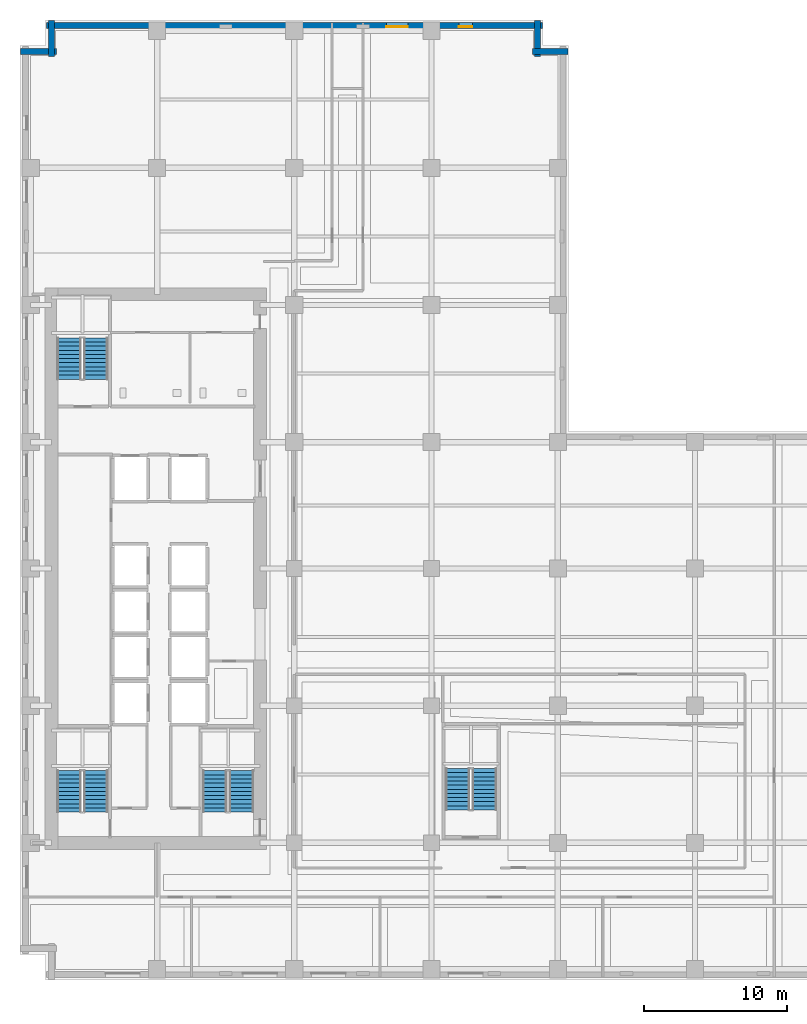
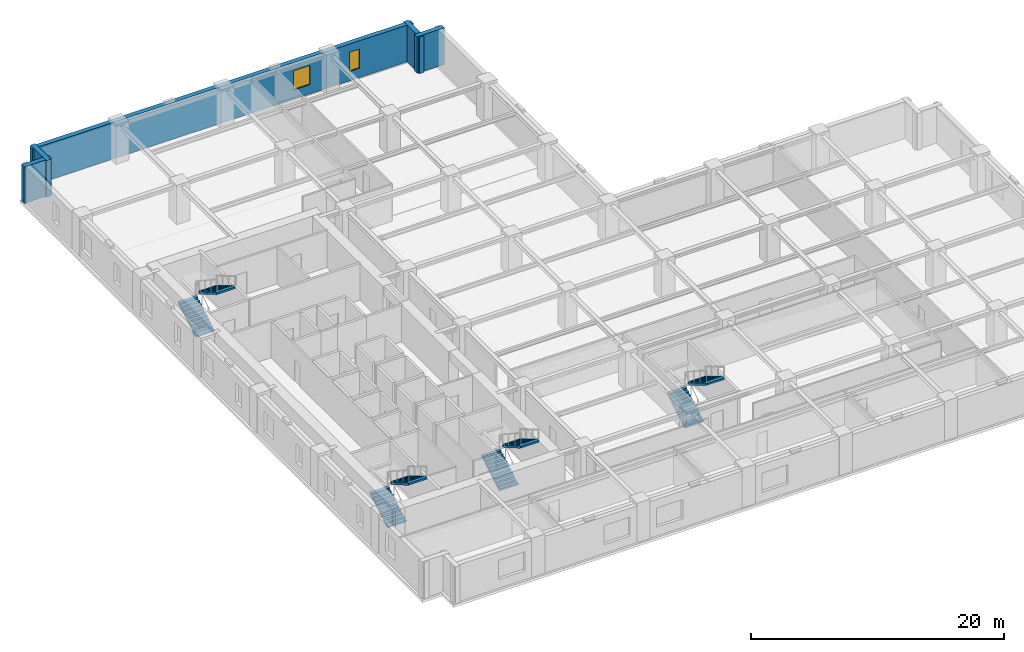
# One storey, part 8 of 13: 8 stair flights, 5 walls, 2 windows, 2 openings, 4 elements without a shape of their own.
"""IFC4 building model written with IfcOpenShell, lengths in metres."""

from ifc_helpers import new_model, si_unit, direction, frame, frame_2d, origin, place, context, subcontext, project, spatial, polyline, rectangle, outline, extrude, material, layer, layer_set, type_object, element, fill, aggregate, save


model = new_model("IFC4")

# Units and contexts
model_context = context("Model", 3, precision=1e-05, world=origin(), true_north=direction((0.0, 1.0)))
body_context = subcontext(model_context, "Body", "Model", "MODEL_VIEW")
ifc_project = project(units=[si_unit("LENGTHUNIT", "METRE"), si_unit("AREAUNIT", "SQUARE_METRE"), si_unit("VOLUMEUNIT", "CUBIC_METRE"), si_unit("PLANEANGLEUNIT", "RADIAN"), si_unit("MASSUNIT", "GRAM", prefix="KILO")], contexts=[model_context])

# Site, building, storey
site_placement = place(None, origin())
site = spatial("IfcSite", under=ifc_project, at=site_placement, CompositionType="ELEMENT")
building_placement = place(site_placement, origin())
building = spatial("IfcBuilding", under=site, at=building_placement, Name="Norrvale University Quadrangle", CompositionType="ELEMENT")
storey_placement = place(building_placement, frame((0.0, 0.0, 43.199951171875)))
storey = spatial("IfcBuildingStorey", under=building, at=storey_placement, Name="L10", CompositionType="ELEMENT", Elevation=43.199951171875)

# Walls
ifc_material_1 = material(Name="Buff Norman Clay Brick Masonry", Category="masonry")
ifc_layer = layer(ifc_material_1, 0.419921875, Name="Buff Norman Clay Brick Masonry")
ifc_layer_set = layer_set([ifc_layer], Name="Buff Norman Clay Brick Masonry")
wall_type = type_object("IfcWallType", Name="Wall Buff Brick 420", PredefinedType="SOLIDWALL", material=ifc_layer_set)
for number, where, z_axis, x_axis, name in (
    (1, (38.360107421875, 65.010009765625, 0.0), (0.0, 0.0, 1.0), (-1.0, 0.0, 0.0), "Exterior Brick Facade Wall L10-09.1"),
    (2, (36.2099609375, 64.659912109375, 0.0), (0.0, 0.0, 1.0), (0.0, 1.0, 0.0), "Exterior Brick Facade Wall L10-10.1"),
):
    element("IfcWall", number, at=place(storey_placement, frame(where, z_axis=z_axis, x_axis=x_axis)), inside=storey, type_object=wall_type, Name=name, PredefinedType="SOLIDWALL", context=body_context, shape_type="SweptSolid", body=[
        extrude(rectangle(XDim=2.5, YDim=0.419921875, at=frame_2d((1.25, 0.0))), origin(), (0.0, 0.0, 1.0), 3.5400390625),
    ])

# Wall, openings, windows
wall_placement = place(storey_placement, frame((36.56005859375, 66.81005859375, 0.0), z_axis=(0.0, 0.0, 1.0), x_axis=(-1.0, 0.0, 0.0)))
wall = element("IfcWall", 3, at=wall_placement, inside=storey, type_object=wall_type, Name="Exterior Brick Facade Wall L10-11.1", PredefinedType="SOLIDWALL", context=body_context, shape_type="SweptSolid", body=[
    extrude(rectangle(XDim=34.719970703125, YDim=0.419921875, at=frame_2d((17.35986328125, 0.0))), origin(), (0.0, 0.0, 1.0), 3.5400390625),
])
opening_1_placement = place(wall_placement, frame((4.885009765625, 0.0, 0.89990234375)))
opening_1 = element("IfcOpeningElement", 4, at=opening_1_placement, cuts=wall, Name="Opening W04", PredefinedType="OPENING", context=body_context, shape_type="SweptSolid", body=[
    extrude(rectangle(XDim=0.949951171875, YDim=1.85009765625, at=frame_2d((0.47509765625, 0.925048828125))), frame((0.0, 0.221923828125, 0.0), z_axis=(0.0, -1.0, 0.0), x_axis=(1.0, 0.0, 0.0)), (0.0, 0.0, 1.0), 0.44384765625),
])
opening_2_placement = place(wall_placement, frame((9.409912109375, 0.0, 0.89990234375)))
opening_2 = element("IfcOpeningElement", 5, at=opening_2_placement, cuts=wall, Name="Opening W03", PredefinedType="OPENING", context=body_context, shape_type="SweptSolid", body=[
    extrude(rectangle(XDim=1.5, YDim=1.85009765625, at=frame_2d((0.75, 0.925048828125))), frame((0.0, 0.221923828125, 0.0), z_axis=(0.0, -1.0, 0.0), x_axis=(1.0, 0.0, 0.0)), (0.0, 0.0, 1.0), 0.44384765625),
])
ifc_material_2 = material(Name="Triple Low-E Argon Glazing", Category="glass")
window_type_1 = type_object("IfcWindowType", Name="Window Narrow Pier 950x2300", PartitioningType="SINGLE_PANEL", PredefinedType="WINDOW", material=ifc_material_2)
window_1_placement = place(opening_1_placement, origin())
window_1 = element("IfcWindow", 6, at=window_1_placement, inside=storey, type_object=window_type_1, Name="Window Narrow Pier 950x2300 WIN-L10-E11-1-01", OverallHeight=1.85009765625, OverallWidth=0.949951171875, PartitioningType="SINGLE_PANEL", PredefinedType="WINDOW", context=body_context, shape_type="SweptSolid", body=[
    extrude(rectangle(XDim=0.949951171875, YDim=1.85009765625, at=frame_2d((0.47509765625, 0.925048828125))), frame((0.0, 0.110107421875, 0.0), z_axis=(0.0, -1.0, 0.0), x_axis=(1.0, 0.0, 0.0)), (0.0, 0.0, 1.0), 0.06005859375),
])
fill(opening_1, window_1)
window_type_2 = type_object("IfcWindowType", Name="Window Studio 1500x2300", PartitioningType="DOUBLE_PANEL_VERTICAL", PredefinedType="WINDOW", material=ifc_material_2)
window_2_placement = place(opening_2_placement, origin())
window_2 = element("IfcWindow", 7, at=window_2_placement, inside=storey, type_object=window_type_2, Name="Window Studio 1500x2300 WIN-L10-E11-1-02", OverallHeight=1.85009765625, OverallWidth=1.5, PartitioningType="DOUBLE_PANEL_VERTICAL", PredefinedType="WINDOW", context=body_context, shape_type="SweptSolid", body=[
    extrude(rectangle(XDim=1.5, YDim=1.85009765625, at=frame_2d((0.75, 0.925048828125))), frame((0.0, 0.110107421875, 0.0), z_axis=(0.0, -1.0, 0.0), x_axis=(1.0, 0.0, 0.0)), (0.0, 0.0, 1.0), 0.06005859375),
])
fill(opening_2, window_2)

# Walls
for number, where, z_axis, x_axis, name in (
    (8, (2.18994140625, 67.159912109375, 0.0), (0.0, 0.0, 1.0), (0.0, -1.0, 0.0), "Exterior Brick Facade Wall L10-12.1"),
    (9, (2.5400390625, 65.010009765625, 0.0), (0.0, 0.0, 1.0), (-1.0, 0.0, 0.0), "Exterior Brick Facade Wall L10-13.1"),
):
    element("IfcWall", number, at=place(storey_placement, frame(where, z_axis=z_axis, x_axis=x_axis)), inside=storey, type_object=wall_type, Name=name, PredefinedType="SOLIDWALL", context=body_context, shape_type="SweptSolid", body=[
        extrude(rectangle(XDim=2.5, YDim=0.419921875, at=frame_2d((1.25, 0.0))), origin(), (0.0, 0.0, 1.0), 3.5400390625),
    ])

# Stair, stair flights
ifc_material_3 = material(Name="Concrete C40/50", Category="concrete")
stair_type = type_object("IfcStairType", Name="Stair Tower Typ 3800", PredefinedType="TWO_STRAIGHT_RUN_STAIR", material=ifc_material_3)
stair_1_placement = place(storey_placement, origin())
stair_1 = element("IfcStair", 10, at=stair_1_placement, inside=storey, type_object=stair_type, Name="Exit Stair ST-01 L10", PredefinedType="TWO_STRAIGHT_RUN_STAIR")
stair_flight_type = type_object("IfcStairFlightType", Name="Flight Typ 1500", PredefinedType="STRAIGHT", material=ifc_material_3)
stair_flight_1_placement = place(storey_placement, frame((3.429931640625, 11.75, 0.0), z_axis=(0.0, 0.0, 1.0), x_axis=(0.0, 1.0, 0.0)))
stair_flight_1 = element("IfcStairFlight", 11, at=stair_flight_1_placement, type_object=stair_flight_type, Name="Exit Stair ST-01 L10 Lower Flight", NumberOfRisers=11, NumberOfTreads=10, PredefinedType="STRAIGHT", RiserHeight=0.172727, TreadLength=0.29, context=body_context, shape_type="SweptSolid", body=[
    extrude(outline(polyline([(0.0, 0.0), (0.0, 0.172607421875), (0.2900390625, 0.172607421875), (0.2900390625, 0.345458984375), (0.580078125, 0.345458984375), (0.580078125, 0.51806640625), (0.8701171875, 0.51806640625), (0.8701171875, 0.69091796875), (1.159912109375, 0.69091796875), (1.159912109375, 0.863525390625), (1.449951171875, 0.863525390625), (1.449951171875, 1.036376953125), (1.739990234375, 1.036376953125), (1.739990234375, 1.208984375), (2.030029296875, 1.208984375), (2.030029296875, 1.3818359375), (2.320068359375, 1.3818359375), (2.320068359375, 1.554443359375), (2.610107421875, 1.554443359375), (2.610107421875, 1.727294921875), (2.89990234375, 1.727294921875), (2.89990234375, 1.89990234375), (2.89990234375, 1.552734375), (0.29296875, 0.0), (0.0, 0.0)])), frame((0.0, 0.83984375, 0.0), z_axis=(0.0, -1.0, 0.0), x_axis=(1.0, 0.0, 0.0)), (0.0, 0.0, 1.0), 1.679931640625),
])
stair_flight_2_placement = place(storey_placement, frame((5.320068359375, 14.64990234375, 1.900146484375), z_axis=(0.0, 0.0, 1.0), x_axis=(0.0, -1.0, 0.0)))
stair_flight_2 = element("IfcStairFlight", 12, at=stair_flight_2_placement, type_object=stair_flight_type, Name="Exit Stair ST-01 L10 Upper Flight", NumberOfRisers=11, NumberOfTreads=10, PredefinedType="STRAIGHT", RiserHeight=0.172727, TreadLength=0.29, context=body_context, shape_type="SweptSolid", body=[
    extrude(outline(polyline([(0.0, 0.0), (0.0, 0.172607421875), (0.2900390625, 0.172607421875), (0.2900390625, 0.345458984375), (0.580078125, 0.345458984375), (0.580078125, 0.51806640625), (0.8701171875, 0.51806640625), (0.8701171875, 0.69091796875), (1.159912109375, 0.69091796875), (1.159912109375, 0.863525390625), (1.449951171875, 0.863525390625), (1.449951171875, 1.036376953125), (1.739990234375, 1.036376953125), (1.739990234375, 1.208984375), (2.030029296875, 1.208984375), (2.030029296875, 1.3818359375), (2.320068359375, 1.3818359375), (2.320068359375, 1.554443359375), (2.610107421875, 1.554443359375), (2.610107421875, 1.727294921875), (2.89990234375, 1.727294921875), (2.89990234375, 1.89990234375), (2.89990234375, 1.552734375), (0.29296875, 0.0), (0.0, 0.0)])), frame((0.0, 0.83984375, 0.0), z_axis=(0.0, -1.0, 0.0), x_axis=(1.0, 0.0, 0.0)), (0.0, 0.0, 1.0), 1.679931640625),
])
aggregate(stair_1, [stair_flight_1, stair_flight_2])

stair_2_placement = place(storey_placement, origin())
stair_2 = element("IfcStair", 13, at=stair_2_placement, inside=storey, type_object=stair_type, Name="Exit Stair ST-02 L10", PredefinedType="TWO_STRAIGHT_RUN_STAIR")
stair_flight_3_placement = place(storey_placement, frame((3.429931640625, 42.050048828125, 0.0), z_axis=(0.0, 0.0, 1.0), x_axis=(0.0, 1.0, 0.0)))
stair_flight_3 = element("IfcStairFlight", 14, at=stair_flight_3_placement, type_object=stair_flight_type, Name="Exit Stair ST-02 L10 Lower Flight", NumberOfRisers=11, NumberOfTreads=10, PredefinedType="STRAIGHT", RiserHeight=0.172727, TreadLength=0.29, context=body_context, shape_type="SweptSolid", body=[
    extrude(outline(polyline([(0.0, 0.0), (0.0, 0.172607421875), (0.2900390625, 0.172607421875), (0.2900390625, 0.345458984375), (0.580078125, 0.345458984375), (0.580078125, 0.51806640625), (0.8701171875, 0.51806640625), (0.8701171875, 0.69091796875), (1.159912109375, 0.69091796875), (1.159912109375, 0.863525390625), (1.449951171875, 0.863525390625), (1.449951171875, 1.036376953125), (1.739990234375, 1.036376953125), (1.739990234375, 1.208984375), (2.030029296875, 1.208984375), (2.030029296875, 1.3818359375), (2.320068359375, 1.3818359375), (2.320068359375, 1.554443359375), (2.610107421875, 1.554443359375), (2.610107421875, 1.727294921875), (2.89990234375, 1.727294921875), (2.89990234375, 1.89990234375), (2.89990234375, 1.552734375), (0.29296875, 0.0), (0.0, 0.0)])), frame((0.0, 0.83984375, 0.0), z_axis=(0.0, -1.0, 0.0), x_axis=(1.0, 0.0, 0.0)), (0.0, 0.0, 1.0), 1.679931640625),
])
stair_flight_4_placement = place(storey_placement, frame((5.320068359375, 44.949951171875, 1.900146484375), z_axis=(0.0, 0.0, 1.0), x_axis=(0.0, -1.0, 0.0)))
stair_flight_4 = element("IfcStairFlight", 15, at=stair_flight_4_placement, type_object=stair_flight_type, Name="Exit Stair ST-02 L10 Upper Flight", NumberOfRisers=11, NumberOfTreads=10, PredefinedType="STRAIGHT", RiserHeight=0.172727, TreadLength=0.29, context=body_context, shape_type="SweptSolid", body=[
    extrude(outline(polyline([(0.0, 0.0), (0.0, 0.172607421875), (0.2900390625, 0.172607421875), (0.2900390625, 0.345458984375), (0.580078125, 0.345458984375), (0.580078125, 0.51806640625), (0.8701171875, 0.51806640625), (0.8701171875, 0.69091796875), (1.159912109375, 0.69091796875), (1.159912109375, 0.863525390625), (1.449951171875, 0.863525390625), (1.449951171875, 1.036376953125), (1.739990234375, 1.036376953125), (1.739990234375, 1.208984375), (2.030029296875, 1.208984375), (2.030029296875, 1.3818359375), (2.320068359375, 1.3818359375), (2.320068359375, 1.554443359375), (2.610107421875, 1.554443359375), (2.610107421875, 1.727294921875), (2.89990234375, 1.727294921875), (2.89990234375, 1.89990234375), (2.89990234375, 1.552734375), (0.29296875, 0.0), (0.0, 0.0)])), frame((0.0, 0.83984375, 0.0), z_axis=(0.0, -1.0, 0.0), x_axis=(1.0, 0.0, 0.0)), (0.0, 0.0, 1.0), 1.679931640625),
])
aggregate(stair_2, [stair_flight_3, stair_flight_4])

stair_3_placement = place(storey_placement, origin())
stair_3 = element("IfcStair", 16, at=stair_3_placement, inside=storey, type_object=stair_type, Name="Exit Stair ST-03 L10", PredefinedType="TWO_STRAIGHT_RUN_STAIR")
stair_flight_5_placement = place(storey_placement, frame((13.6298828125, 11.75, 0.0), z_axis=(0.0, 0.0, 1.0), x_axis=(0.0, 1.0, 0.0)))
stair_flight_5 = element("IfcStairFlight", 17, at=stair_flight_5_placement, type_object=stair_flight_type, Name="Exit Stair ST-03 L10 Lower Flight", NumberOfRisers=11, NumberOfTreads=10, PredefinedType="STRAIGHT", RiserHeight=0.172727, TreadLength=0.29, context=body_context, shape_type="SweptSolid", body=[
    extrude(outline(polyline([(0.0, 0.0), (0.0, 0.172607421875), (0.2900390625, 0.172607421875), (0.2900390625, 0.345458984375), (0.580078125, 0.345458984375), (0.580078125, 0.51806640625), (0.8701171875, 0.51806640625), (0.8701171875, 0.69091796875), (1.159912109375, 0.69091796875), (1.159912109375, 0.863525390625), (1.449951171875, 0.863525390625), (1.449951171875, 1.036376953125), (1.739990234375, 1.036376953125), (1.739990234375, 1.208984375), (2.030029296875, 1.208984375), (2.030029296875, 1.3818359375), (2.320068359375, 1.3818359375), (2.320068359375, 1.554443359375), (2.610107421875, 1.554443359375), (2.610107421875, 1.727294921875), (2.89990234375, 1.727294921875), (2.89990234375, 1.89990234375), (2.89990234375, 1.552734375), (0.29296875, 0.0), (0.0, 0.0)])), frame((0.0, 0.83984375, 0.0), z_axis=(0.0, -1.0, 0.0), x_axis=(1.0, 0.0, 0.0)), (0.0, 0.0, 1.0), 1.679931640625),
])
stair_flight_6_placement = place(storey_placement, frame((15.52001953125, 14.64990234375, 1.900146484375), z_axis=(0.0, 0.0, 1.0), x_axis=(0.0, -1.0, 0.0)))
stair_flight_6 = element("IfcStairFlight", 18, at=stair_flight_6_placement, type_object=stair_flight_type, Name="Exit Stair ST-03 L10 Upper Flight", NumberOfRisers=11, NumberOfTreads=10, PredefinedType="STRAIGHT", RiserHeight=0.172727, TreadLength=0.29, context=body_context, shape_type="SweptSolid", body=[
    extrude(outline(polyline([(0.0, 0.0), (0.0, 0.172607421875), (0.2900390625, 0.172607421875), (0.2900390625, 0.345458984375), (0.580078125, 0.345458984375), (0.580078125, 0.51806640625), (0.8701171875, 0.51806640625), (0.8701171875, 0.69091796875), (1.159912109375, 0.69091796875), (1.159912109375, 0.863525390625), (1.449951171875, 0.863525390625), (1.449951171875, 1.036376953125), (1.739990234375, 1.036376953125), (1.739990234375, 1.208984375), (2.030029296875, 1.208984375), (2.030029296875, 1.3818359375), (2.320068359375, 1.3818359375), (2.320068359375, 1.554443359375), (2.610107421875, 1.554443359375), (2.610107421875, 1.727294921875), (2.89990234375, 1.727294921875), (2.89990234375, 1.89990234375), (2.89990234375, 1.552734375), (0.29296875, 0.0), (0.0, 0.0)])), frame((0.0, 0.83984375, 0.0), z_axis=(0.0, -1.0, 0.0), x_axis=(1.0, 0.0, 0.0)), (0.0, 0.0, 1.0), 1.679931640625),
])
aggregate(stair_3, [stair_flight_5, stair_flight_6])

stair_4_placement = place(storey_placement, origin())
stair_4 = element("IfcStair", 19, at=stair_4_placement, inside=storey, type_object=stair_type, Name="Exit Stair ST-04 L10", PredefinedType="TWO_STRAIGHT_RUN_STAIR")
stair_flight_7_placement = place(storey_placement, frame((30.6298828125, 11.89990234375, 0.0), z_axis=(0.0, 0.0, 1.0), x_axis=(0.0, 1.0, 0.0)))
stair_flight_7 = element("IfcStairFlight", 20, at=stair_flight_7_placement, type_object=stair_flight_type, Name="Exit Stair ST-04 L10 Lower Flight", NumberOfRisers=11, NumberOfTreads=10, PredefinedType="STRAIGHT", RiserHeight=0.172727, TreadLength=0.29, context=body_context, shape_type="SweptSolid", body=[
    extrude(outline(polyline([(0.0, 0.0), (0.0, 0.172607421875), (0.2900390625, 0.172607421875), (0.2900390625, 0.345458984375), (0.580078125, 0.345458984375), (0.580078125, 0.51806640625), (0.8701171875, 0.51806640625), (0.8701171875, 0.69091796875), (1.159912109375, 0.69091796875), (1.159912109375, 0.863525390625), (1.449951171875, 0.863525390625), (1.449951171875, 1.036376953125), (1.739990234375, 1.036376953125), (1.739990234375, 1.208984375), (2.030029296875, 1.208984375), (2.030029296875, 1.3818359375), (2.320068359375, 1.3818359375), (2.320068359375, 1.554443359375), (2.610107421875, 1.554443359375), (2.610107421875, 1.727294921875), (2.89990234375, 1.727294921875), (2.89990234375, 1.89990234375), (2.89990234375, 1.552734375), (0.29296875, 0.0), (0.0, 0.0)])), frame((0.0, 0.83984375, 0.0), z_axis=(0.0, -1.0, 0.0), x_axis=(1.0, 0.0, 0.0)), (0.0, 0.0, 1.0), 1.679931640625),
])
stair_flight_8_placement = place(storey_placement, frame((32.52001953125, 14.800048828125, 1.900146484375), z_axis=(0.0, 0.0, 1.0), x_axis=(0.0, -1.0, 0.0)))
stair_flight_8 = element("IfcStairFlight", 21, at=stair_flight_8_placement, type_object=stair_flight_type, Name="Exit Stair ST-04 L10 Upper Flight", NumberOfRisers=11, NumberOfTreads=10, PredefinedType="STRAIGHT", RiserHeight=0.172727, TreadLength=0.29, context=body_context, shape_type="SweptSolid", body=[
    extrude(outline(polyline([(0.0, 0.0), (0.0, 0.172607421875), (0.2900390625, 0.172607421875), (0.2900390625, 0.345458984375), (0.580078125, 0.345458984375), (0.580078125, 0.51806640625), (0.8701171875, 0.51806640625), (0.8701171875, 0.69091796875), (1.159912109375, 0.69091796875), (1.159912109375, 0.863525390625), (1.449951171875, 0.863525390625), (1.449951171875, 1.036376953125), (1.739990234375, 1.036376953125), (1.739990234375, 1.208984375), (2.030029296875, 1.208984375), (2.030029296875, 1.3818359375), (2.320068359375, 1.3818359375), (2.320068359375, 1.554443359375), (2.610107421875, 1.554443359375), (2.610107421875, 1.727294921875), (2.89990234375, 1.727294921875), (2.89990234375, 1.89990234375), (2.89990234375, 1.552734375), (0.29296875, 0.0), (0.0, 0.0)])), frame((0.0, 0.83984375, 0.0), z_axis=(0.0, -1.0, 0.0), x_axis=(1.0, 0.0, 0.0)), (0.0, 0.0, 1.0), 1.679931640625),
])
aggregate(stair_4, [stair_flight_7, stair_flight_8])

save(model, "model.ifc")
